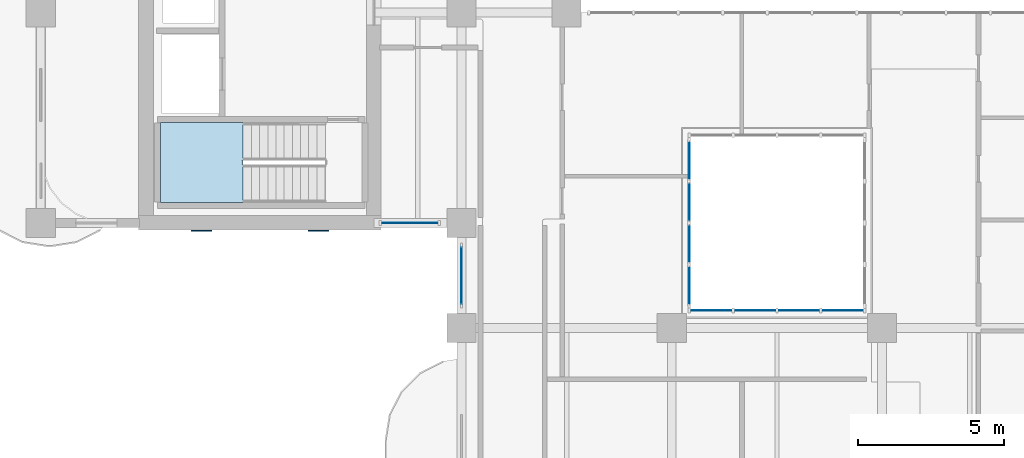
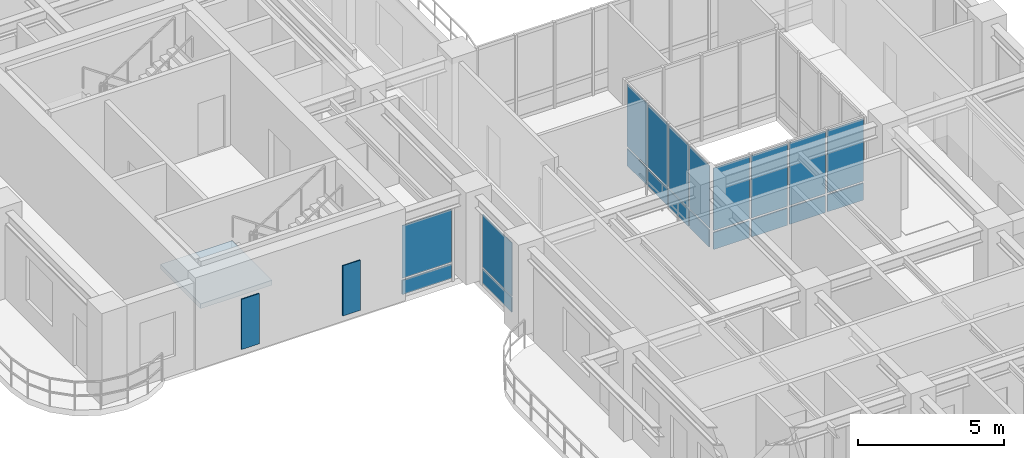
# One storey, part 7 of 20: 22 plates, 1 slab, 5 elements without a shape of their own.
"""IFC4 building model written with IfcOpenShell, lengths in metres."""

from ifc_helpers import new_model, si_unit, derived_unit, direction, frame, origin, origin_2d, place, context, subcontext, project, spatial, polyline, rectangle, outline, extrude, source, transform, mapped, material, layer, layer_set, type_object, type_shapes, element, aggregate, save


model = new_model("IFC4")

# Units and contexts
model_context = context("Model", 3, precision=1e-05, world=origin(), true_north=direction((0.0, 1.0)))
body_context = subcontext(model_context, "Body", "Model", "MODEL_VIEW")
ifc_project = project(units=[si_unit("LENGTHUNIT", "METRE"), si_unit("AREAUNIT", "SQUARE_METRE"), si_unit("VOLUMEUNIT", "CUBIC_METRE"), si_unit("PLANEANGLEUNIT", "RADIAN"), si_unit("MASSUNIT", "GRAM", prefix="KILO"), si_unit("THERMODYNAMICTEMPERATUREUNIT", "KELVIN"), si_unit("POWERUNIT", "WATT"), derived_unit("THERMALTRANSMITTANCEUNIT", [(si_unit("POWERUNIT", "WATT"), 1), (si_unit("AREAUNIT", "SQUARE_METRE"), -1), (si_unit("THERMODYNAMICTEMPERATUREUNIT", "KELVIN"), -1)])], contexts=[model_context])

# Site, building, storey
site_placement = place(None, origin())
site = spatial("IfcSite", under=ifc_project, at=site_placement, CompositionType="ELEMENT")
building_placement = place(site_placement, origin())
building = spatial("IfcBuilding", under=site, at=building_placement, Name="Zahravan Archway Hotel and Residences", CompositionType="ELEMENT")
storey_placement = place(building_placement, frame((0.0, 0.0, 177.25)))
storey = spatial("IfcBuildingStorey", under=building, at=storey_placement, Name="L44", CompositionType="ELEMENT", Elevation=177.25)

# Stair, slab
ifc_material_1 = material(Name="Concrete C50/60", Category="concrete")
stair_type = type_object("IfcStairType", Name="STR-CORE-1300", PredefinedType="HALF_TURN_STAIR", material=ifc_material_1)
stair_placement = place(storey_placement, origin())
stair = element("IfcStair", 1, at=stair_placement, inside=storey, type_object=stair_type, Name="L44 Core B Exit Stair 1", PredefinedType="HALF_TURN_STAIR")
ifc_layer_1 = layer(ifc_material_1, 0.199951171875, Name="Concrete C50/60", Category="concrete")
ifc_layer_set_1 = layer_set([ifc_layer_1], Name="Concrete C50/60")
slab_type = type_object("IfcSlabType", Name="SLB-LND-200", PredefinedType="LANDING", material=ifc_layer_set_1)
slab_placement = place(storey_placement, frame((0.0, 0.0, 1.72509765625)))
slab = element("IfcSlab", 2, at=slab_placement, type_object=slab_type, Name="ST-B1 landing 1", PredefinedType="LANDING", context=body_context, shape_type="SweptSolid", body=[
    extrude(outline(polyline([(6.929931640625, 28.639892578125), (4.10009765625, 28.639892578125), (4.10009765625, 25.89990234375), (6.929931640625, 25.89990234375), (6.929931640625, 28.639892578125)])), origin(), (0.0, 0.0, 1.0), 0.199951171875),
])
aggregate(stair, [slab])

# Plates
ifc_material_2 = material(Name="Perforated Cast Bronze Jali Lattice")
ifc_layer_2 = layer(ifc_material_2, 0.044921875, Name="Perforated Cast Bronze Jali Lattice")
ifc_layer_set_2 = layer_set([ifc_layer_2], Name="Perforated Cast Bronze Jali Lattice")
plate_type_1 = type_object("IfcPlateType", Name="PLT-JALI-BAY", PredefinedType="USERDEFINED", material=ifc_layer_set_2)
shared_shape_1 = source(origin(), body_context, "Body", "SweptSolid", [
    extrude(rectangle(XDim=0.699951171875, YDim=0.044921875, at=origin_2d()), origin(), (0.0, 0.0, 1.0), 2.10009765625),
])
type_shapes(plate_type_1, [shared_shape_1])
for number, where, z_axis, x_axis, name in (
    (3, (5.5, 24.931884765625, 0.25), (0.0, 0.0, 1.0), (1.0, 0.0, 0.0), "L44 Core B South Mughal Jali Screen 1"),
    (4, (9.5, 24.931884765625, 0.25), (0.0, 0.0, 1.0), (1.0, 0.0, 0.0), "L44 Core B South Mughal Jali Screen 2"),
):
    element("IfcPlate", number, at=place(storey_placement, frame(where, z_axis=z_axis, x_axis=x_axis)), inside=storey, type_object=plate_type_1, Name=name, ObjectType="SCREEN", PredefinedType="USERDEFINED", context=body_context, shape_type="MappedRepresentation", body=[
        mapped(shared_shape_1, transform((0.0, 0.0, 0.0), scale=1.0)),
    ])

# Curtain wall, plates
ifc_material_3 = material(Name="Bronze-Anodized Unitised Aluminium & Low-E Glass", Category="aluminium")
ifc_layer_3 = layer(ifc_material_3, 0.179931640625, Name="Bronze-Anodized Unitised Aluminium & Low-E Glass", Category="aluminium")
ifc_layer_set_3 = layer_set([ifc_layer_3], Name="Bronze-Anodized Unitised Aluminium & Low-E Glass")
curtain_wall_type = type_object("IfcCurtainWallType", Name="CW-ATR-GLAZ", PredefinedType="NOTDEFINED", material=ifc_layer_set_3)
curtain_wall_1_placement = place(storey_placement, origin())
curtain_wall_1 = element("IfcCurtainWall", 5, at=curtain_wall_1_placement, inside=storey, type_object=curtain_wall_type, Name="L44 Curtain Wall CW-ATR-L44-S-1", PredefinedType="NOTDEFINED")
ifc_material_4 = material(Name="Insulated Terracotta Spandrel Panel", Category="masonry")
ifc_layer_4 = layer(ifc_material_4, 0.0400390625, Name="Insulated Terracotta Spandrel Panel", Category="masonry")
ifc_layer_set_4 = layer_set([ifc_layer_4], Name="Insulated Terracotta Spandrel Panel")
plate_type_2 = type_object("IfcPlateType", Name="CWP-SPN-40", PredefinedType="SHEET", material=ifc_layer_set_4)
shared_shape_2 = source(origin(), body_context, "Body", "SweptSolid", [
    extrude(rectangle(XDim=1.419921875, YDim=0.0400390625, at=origin_2d()), origin(), (0.0, 0.0, 1.0), 0.7099609375),
])
plate_1_placement = place(storey_placement, frame((22.949951171875, 22.199951171875, 0.10009765625), z_axis=(0.0, 0.0, 1.0), x_axis=(1.0, 0.0, 0.0)))
plate_1 = element("IfcPlate", 6, at=plate_1_placement, type_object=plate_type_2, Name="CW-ATR-L44-S-1 Spandrel Panel 0", PredefinedType="SHEET", context=body_context, shape_type="MappedRepresentation", body=[
    mapped(shared_shape_2, transform((0.0, 0.0, 0.0), scale=1.0)),
])
plate_2_placement = place(storey_placement, frame((24.449951171875, 22.199951171875, 0.10009765625), z_axis=(0.0, 0.0, 1.0), x_axis=(1.0, 0.0, 0.0)))
plate_2 = element("IfcPlate", 7, at=plate_2_placement, type_object=plate_type_2, Name="CW-ATR-L44-S-1 Spandrel Panel 1", PredefinedType="SHEET", context=body_context, shape_type="MappedRepresentation", body=[
    mapped(shared_shape_2, transform((0.0, 0.0, 0.0), scale=1.0)),
])
plate_3_placement = place(storey_placement, frame((25.949951171875, 22.199951171875, 0.10009765625), z_axis=(0.0, 0.0, 1.0), x_axis=(1.0, 0.0, 0.0)))
plate_3 = element("IfcPlate", 8, at=plate_3_placement, type_object=plate_type_2, Name="CW-ATR-L44-S-1 Spandrel Panel 2", PredefinedType="SHEET", context=body_context, shape_type="MappedRepresentation", body=[
    mapped(shared_shape_2, transform((0.0, 0.0, 0.0), scale=1.0)),
])
plate_4_placement = place(storey_placement, frame((27.449951171875, 22.199951171875, 0.10009765625), z_axis=(0.0, 0.0, 1.0), x_axis=(1.0, 0.0, 0.0)))
plate_4 = element("IfcPlate", 9, at=plate_4_placement, type_object=plate_type_2, Name="CW-ATR-L44-S-1 Spandrel Panel 3", PredefinedType="SHEET", context=body_context, shape_type="MappedRepresentation", body=[
    mapped(shared_shape_2, transform((0.0, 0.0, 0.0), scale=1.0)),
])

curtain_wall_2_placement = place(storey_placement, origin())
curtain_wall_2 = element("IfcCurtainWall", 10, at=curtain_wall_2_placement, inside=storey, type_object=curtain_wall_type, Name="L44 Curtain Wall CW-ATR-L44-W-1", PredefinedType="NOTDEFINED")
shared_shape_3 = source(origin(), body_context, "Body", "SweptSolid", [
    extrude(rectangle(XDim=1.344970703125, YDim=0.0400390625, at=origin_2d()), origin(), (0.0, 0.0, 1.0), 0.7099609375),
])
plate_5_placement = place(storey_placement, frame((22.199951171875, 23.0625, 0.10009765625), z_axis=(0.0, 0.0, 1.0), x_axis=(0.0, 1.0, 0.0)))
plate_5 = element("IfcPlate", 11, at=plate_5_placement, type_object=plate_type_2, Name="CW-ATR-L44-W-1 Spandrel Panel 0", PredefinedType="SHEET", context=body_context, shape_type="MappedRepresentation", body=[
    mapped(shared_shape_3, transform((0.0, 0.0, 0.0), scale=1.0)),
])
plate_6_placement = place(storey_placement, frame((22.199951171875, 24.487548828125, 0.10009765625), z_axis=(0.0, 0.0, 1.0), x_axis=(0.0, 1.0, 0.0)))
plate_6 = element("IfcPlate", 12, at=plate_6_placement, type_object=plate_type_2, Name="CW-ATR-L44-W-1 Spandrel Panel 1", PredefinedType="SHEET", context=body_context, shape_type="MappedRepresentation", body=[
    mapped(shared_shape_3, transform((0.0, 0.0, 0.0), scale=1.0)),
])
plate_7_placement = place(storey_placement, frame((22.199951171875, 25.91259765625, 0.10009765625), z_axis=(0.0, 0.0, 1.0), x_axis=(0.0, 1.0, 0.0)))
plate_7 = element("IfcPlate", 13, at=plate_7_placement, type_object=plate_type_2, Name="CW-ATR-L44-W-1 Spandrel Panel 2", PredefinedType="SHEET", context=body_context, shape_type="MappedRepresentation", body=[
    mapped(shared_shape_3, transform((0.0, 0.0, 0.0), scale=1.0)),
])
plate_8_placement = place(storey_placement, frame((22.199951171875, 27.33740234375, 0.10009765625), z_axis=(0.0, 0.0, 1.0), x_axis=(0.0, 1.0, 0.0)))
plate_8 = element("IfcPlate", 14, at=plate_8_placement, type_object=plate_type_2, Name="CW-ATR-L44-W-1 Spandrel Panel 3", PredefinedType="SHEET", context=body_context, shape_type="MappedRepresentation", body=[
    mapped(shared_shape_3, transform((0.0, 0.0, 0.0), scale=1.0)),
])

curtain_wall_3_placement = place(storey_placement, origin())
curtain_wall_3 = element("IfcCurtainWall", 15, at=curtain_wall_3_placement, inside=storey, type_object=curtain_wall_type, Name="L44 Curtain Wall CW-L44-WA-WLU-1", PredefinedType="NOTDEFINED")
shared_shape_4 = source(origin(), body_context, "Body", "SweptSolid", [
    extrude(rectangle(XDim=2.0, YDim=0.0400390625, at=origin_2d()), origin(), (0.0, 0.0, 1.0), 0.600341796875),
])
plate_9_placement = place(storey_placement, frame((14.39990234375, 23.39990234375, 0.10009765625), z_axis=(0.0, 0.0, 1.0), x_axis=(0.0, 1.0, 0.0)))
plate_9 = element("IfcPlate", 16, at=plate_9_placement, type_object=plate_type_2, Name="CW-L44-WA-WLU-1 Spandrel Panel 0", PredefinedType="SHEET", context=body_context, shape_type="MappedRepresentation", body=[
    mapped(shared_shape_4, transform((0.0, 0.0, 0.0), scale=1.0)),
])
ifc_material_5 = material(Name="Double-Silver Low-E Insulated Vision Glass", Category="glass")
ifc_layer_5 = layer(ifc_material_5, 0.028076171875, Name="Double-Silver Low-E Insulated Vision Glass", Category="glass")
ifc_layer_set_5 = layer_set([ifc_layer_5], Name="Double-Silver Low-E Insulated Vision Glass")
plate_type_3 = type_object("IfcPlateType", Name="CWP-GLZ-28", PredefinedType="CURTAIN_PANEL", material=ifc_layer_set_5)
shared_shape_5 = source(origin(), body_context, "Body", "SweptSolid", [
    extrude(rectangle(XDim=2.0, YDim=0.028076171875, at=origin_2d()), origin(), (0.0, 0.0, 1.0), 2.20458984375),
])
plate_10_placement = place(storey_placement, frame((14.39990234375, 23.39990234375, 0.780517578125), z_axis=(0.0, 0.0, 1.0), x_axis=(0.0, 1.0, 0.0)))
plate_10 = element("IfcPlate", 17, at=plate_10_placement, type_object=plate_type_3, Name="CW-L44-WA-WLU-1 Low-E Vision Panel 0", PredefinedType="CURTAIN_PANEL", context=body_context, shape_type="MappedRepresentation", body=[
    mapped(shared_shape_5, transform((0.0, 0.0, 0.0), scale=1.0)),
])
aggregate(curtain_wall_3, [plate_9, plate_10])

curtain_wall_4_placement = place(storey_placement, origin())
curtain_wall_4 = element("IfcCurtainWall", 18, at=curtain_wall_4_placement, inside=storey, type_object=curtain_wall_type, Name="L44 Curtain Wall CW-L44-WB-SE-1", PredefinedType="NOTDEFINED")
shared_shape_6 = source(origin(), body_context, "Body", "SweptSolid", [
    extrude(rectangle(XDim=1.93994140625, YDim=0.0400390625, at=origin_2d()), origin(), (0.0, 0.0, 1.0), 0.600341796875),
])
plate_11_placement = place(storey_placement, frame((12.6298828125, 25.199951171875, 0.10009765625), z_axis=(0.0, 0.0, 1.0), x_axis=(1.0, 0.0, 0.0)))
plate_11 = element("IfcPlate", 19, at=plate_11_placement, type_object=plate_type_2, Name="CW-L44-WB-SE-1 Spandrel Panel 0", PredefinedType="SHEET", context=body_context, shape_type="MappedRepresentation", body=[
    mapped(shared_shape_6, transform((0.0, 0.0, 0.0), scale=1.0)),
])
shared_shape_7 = source(origin(), body_context, "Body", "SweptSolid", [
    extrude(rectangle(XDim=1.93994140625, YDim=0.028076171875, at=origin_2d()), origin(), (0.0, 0.0, 1.0), 2.20458984375),
])
plate_12_placement = place(storey_placement, frame((12.6298828125, 25.199951171875, 0.780517578125), z_axis=(0.0, 0.0, 1.0), x_axis=(1.0, 0.0, 0.0)))
plate_12 = element("IfcPlate", 20, at=plate_12_placement, type_object=plate_type_3, Name="CW-L44-WB-SE-1 Low-E Vision Panel 0", PredefinedType="CURTAIN_PANEL", context=body_context, shape_type="MappedRepresentation", body=[
    mapped(shared_shape_7, transform((0.0, 0.0, 0.0), scale=1.0)),
])
aggregate(curtain_wall_4, [plate_11, plate_12])

# Plate
shared_shape_8 = source(origin(), body_context, "Body", "SweptSolid", [
    extrude(rectangle(XDim=1.419921875, YDim=0.028076171875, at=origin_2d()), origin(), (0.0, 0.0, 1.0), 2.610107421875),
])
plate_13_placement = place(storey_placement, frame((22.949951171875, 22.199951171875, 0.89013671875), z_axis=(0.0, 0.0, 1.0), x_axis=(1.0, 0.0, 0.0)))
plate_13 = element("IfcPlate", 21, at=plate_13_placement, type_object=plate_type_3, Name="CW-ATR-L44-S-1 Low-E Vision Panel 0", PredefinedType="CURTAIN_PANEL", context=body_context, shape_type="MappedRepresentation", body=[
    mapped(shared_shape_8, transform((0.0, 0.0, 0.0), scale=1.0)),
])

plate_14_placement = place(storey_placement, frame((24.449951171875, 22.199951171875, 0.89013671875), z_axis=(0.0, 0.0, 1.0), x_axis=(1.0, 0.0, 0.0)))
plate_14 = element("IfcPlate", 22, at=plate_14_placement, type_object=plate_type_3, Name="CW-ATR-L44-S-1 Low-E Vision Panel 1", PredefinedType="CURTAIN_PANEL", context=body_context, shape_type="MappedRepresentation", body=[
    mapped(shared_shape_8, transform((0.0, 0.0, 0.0), scale=1.0)),
])

plate_15_placement = place(storey_placement, frame((25.949951171875, 22.199951171875, 0.89013671875), z_axis=(0.0, 0.0, 1.0), x_axis=(1.0, 0.0, 0.0)))
plate_15 = element("IfcPlate", 23, at=plate_15_placement, type_object=plate_type_3, Name="CW-ATR-L44-S-1 Low-E Vision Panel 2", PredefinedType="CURTAIN_PANEL", context=body_context, shape_type="MappedRepresentation", body=[
    mapped(shared_shape_8, transform((0.0, 0.0, 0.0), scale=1.0)),
])

plate_16_placement = place(storey_placement, frame((27.449951171875, 22.199951171875, 0.89013671875), z_axis=(0.0, 0.0, 1.0), x_axis=(1.0, 0.0, 0.0)))
plate_16 = element("IfcPlate", 24, at=plate_16_placement, type_object=plate_type_3, Name="CW-ATR-L44-S-1 Low-E Vision Panel 3", PredefinedType="CURTAIN_PANEL", context=body_context, shape_type="MappedRepresentation", body=[
    mapped(shared_shape_8, transform((0.0, 0.0, 0.0), scale=1.0)),
])

aggregate(curtain_wall_1, [plate_1, plate_13, plate_2, plate_14, plate_3, plate_15, plate_4, plate_16])

shared_shape_9 = source(origin(), body_context, "Body", "SweptSolid", [
    extrude(rectangle(XDim=1.344970703125, YDim=0.028076171875, at=origin_2d()), origin(), (0.0, 0.0, 1.0), 2.610107421875),
])
plate_17_placement = place(storey_placement, frame((22.199951171875, 23.0625, 0.89013671875), z_axis=(0.0, 0.0, 1.0), x_axis=(0.0, 1.0, 0.0)))
plate_17 = element("IfcPlate", 25, at=plate_17_placement, type_object=plate_type_3, Name="CW-ATR-L44-W-1 Low-E Vision Panel 0", PredefinedType="CURTAIN_PANEL", context=body_context, shape_type="MappedRepresentation", body=[
    mapped(shared_shape_9, transform((0.0, 0.0, 0.0), scale=1.0)),
])

plate_18_placement = place(storey_placement, frame((22.199951171875, 24.487548828125, 0.89013671875), z_axis=(0.0, 0.0, 1.0), x_axis=(0.0, 1.0, 0.0)))
plate_18 = element("IfcPlate", 26, at=plate_18_placement, type_object=plate_type_3, Name="CW-ATR-L44-W-1 Low-E Vision Panel 1", PredefinedType="CURTAIN_PANEL", context=body_context, shape_type="MappedRepresentation", body=[
    mapped(shared_shape_9, transform((0.0, 0.0, 0.0), scale=1.0)),
])

plate_19_placement = place(storey_placement, frame((22.199951171875, 25.91259765625, 0.89013671875), z_axis=(0.0, 0.0, 1.0), x_axis=(0.0, 1.0, 0.0)))
plate_19 = element("IfcPlate", 27, at=plate_19_placement, type_object=plate_type_3, Name="CW-ATR-L44-W-1 Low-E Vision Panel 2", PredefinedType="CURTAIN_PANEL", context=body_context, shape_type="MappedRepresentation", body=[
    mapped(shared_shape_9, transform((0.0, 0.0, 0.0), scale=1.0)),
])

plate_20_placement = place(storey_placement, frame((22.199951171875, 27.33740234375, 0.89013671875), z_axis=(0.0, 0.0, 1.0), x_axis=(0.0, 1.0, 0.0)))
plate_20 = element("IfcPlate", 28, at=plate_20_placement, type_object=plate_type_3, Name="CW-ATR-L44-W-1 Low-E Vision Panel 3", PredefinedType="CURTAIN_PANEL", context=body_context, shape_type="MappedRepresentation", body=[
    mapped(shared_shape_9, transform((0.0, 0.0, 0.0), scale=1.0)),
])

aggregate(curtain_wall_2, [plate_5, plate_17, plate_6, plate_18, plate_7, plate_19, plate_8, plate_20])

save(model, "model.ifc")
